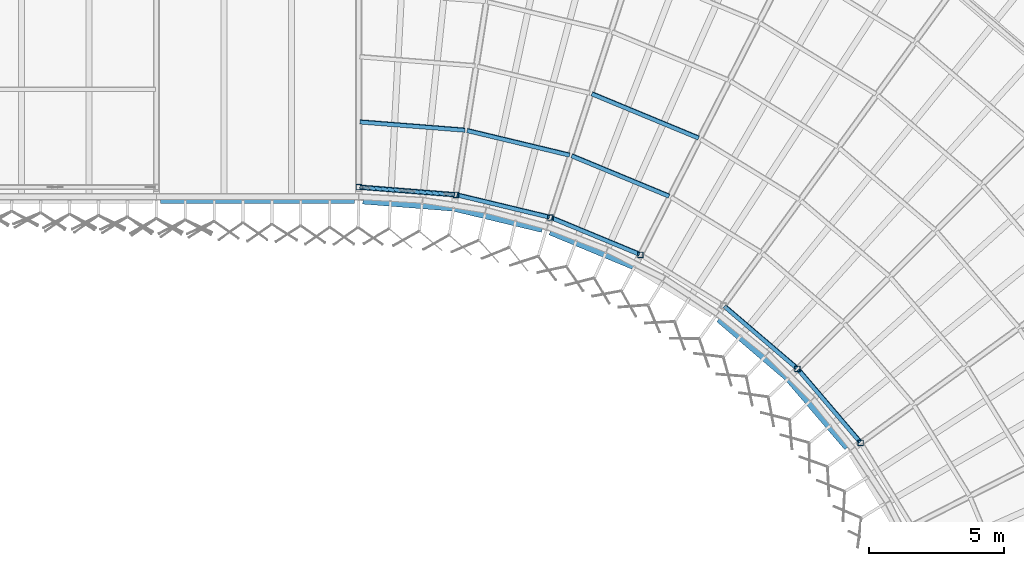
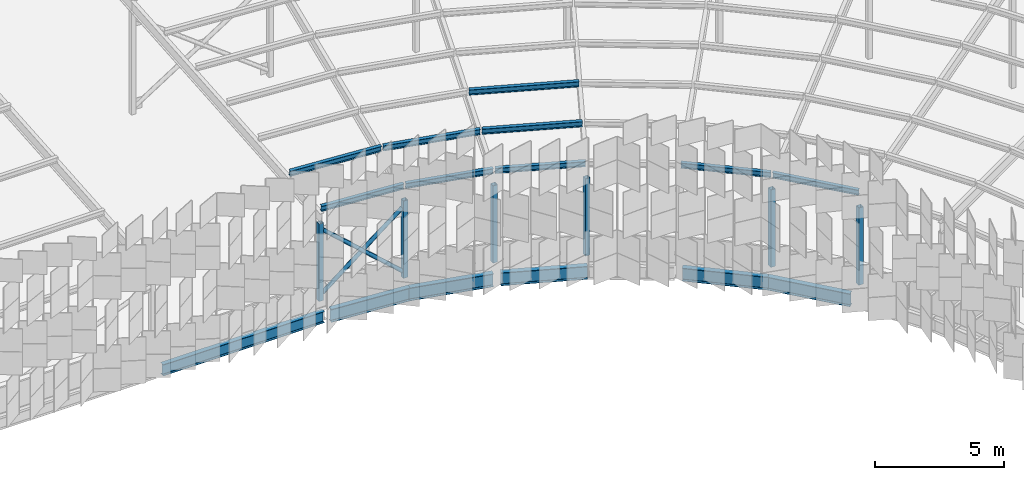
# One storey, part 82 of 483: 18 members, 6 beams.
"""IFC4 building model written with IfcOpenShell, lengths in metres."""

from ifc_helpers import new_model, si_unit, direction, frame, origin, origin_2d, place, context, subcontext, project, spatial, hollow_rectangle, hollow_circle, i_section, extrude, material, material_profile, profile_set, type_object, element, save


model = new_model("IFC4")

# Units and contexts
model_context = context("Model", 3, precision=1e-05, world=origin(), true_north=direction((0.0, 1.0)))
body_context = subcontext(model_context, "Body", "Model", "MODEL_VIEW")
ifc_project = project(units=[si_unit("LENGTHUNIT", "METRE"), si_unit("AREAUNIT", "SQUARE_METRE"), si_unit("VOLUMEUNIT", "CUBIC_METRE"), si_unit("PLANEANGLEUNIT", "RADIAN"), si_unit("MASSUNIT", "GRAM", prefix="KILO")], contexts=[model_context])

# Site, building, storey
site_placement = place(None, origin())
site = spatial("IfcSite", under=ifc_project, at=site_placement, CompositionType="ELEMENT")
building_placement = place(site_placement, origin())
building = spatial("IfcBuilding", under=site, at=building_placement, Name="Parallax Yard Mobility Hub", CompositionType="ELEMENT")
storey_placement = place(building_placement, frame((0.0, 0.0, 13.199951171875)))
storey = spatial("IfcBuildingStorey", under=building, at=storey_placement, Name="L04", CompositionType="ELEMENT", Elevation=13.199951171875)

# Members
ifc_material_1 = material(Name="Steel ASTM A500 Gr C", Category="steel")
ifc_material_profile_1 = material_profile(ifc_material_1, hollow_circle(Radius=0.0888671875, WallThickness=0.0078125, at=origin_2d()), Name="HSS177.8x7.9")
ifc_profile_set_1 = profile_set([ifc_material_profile_1], Name="Steel ASTM A500 Gr C")
member_type_1 = type_object("IfcMemberType", Name="Canopy brace HSS177.8x7.9", PredefinedType="BRACE", material=ifc_profile_set_1)
member_1_placement = place(storey_placement, frame((176.00390625, 112.72412109375, 0.300048828125), z_axis=(-0.750571164477, 0.059112785919, 0.658140262859), x_axis=(-0.07851394836, -0.996913015219, 0.0)))
element("IfcMember", 1, at=member_1_placement, inside=storey, type_object=member_type_1, Name="Canopy X brace RA bay R0-R1 diagonal B", PredefinedType="BRACE", context=body_context, shape_type="SweptSolid", body=[
    extrude(hollow_circle(Radius=0.0888671875, WallThickness=0.0078125, at=origin_2d()), origin(), (0.0, 0.0, 1.0), 4.54296875),
])
member_2_placement = place(storey_placement, frame((172.593994140625, 112.99267578125, 0.300048828125), z_axis=(0.750630945176, -0.059146020461, 0.658069093946), x_axis=(0.078551600547, 0.996910049128, 0.0)))
element("IfcMember", 2, at=member_2_placement, inside=storey, type_object=member_type_1, Name="Canopy X brace RA bay R0-R1 diagonal A part 1", PredefinedType="BRACE", context=body_context, shape_type="SweptSolid", body=[
    extrude(hollow_circle(Radius=0.0888671875, WallThickness=0.0078125, at=origin_2d()), origin(), (0.0, 0.0, 1.0), 2.19189453125),
])
member_3_placement = place(storey_placement, frame((174.35888671875, 112.853759765625, 1.84765625), z_axis=(0.75058231312, -0.059150965905, 0.658124117826), x_axis=(0.078563186597, 0.996909136136, 0.0)))
element("IfcMember", 3, at=member_3_placement, inside=storey, type_object=member_type_1, Name="Canopy X brace RA bay R0-R1 diagonal A part 2", PredefinedType="BRACE", context=body_context, shape_type="SweptSolid", body=[
    extrude(hollow_circle(Radius=0.0888671875, WallThickness=0.0078125, at=origin_2d()), origin(), (0.0, 0.0, 1.0), 2.191650390625),
])
ifc_material_profile_2 = material_profile(ifc_material_1, hollow_rectangle(XDim=0.203125, YDim=0.203125, WallThickness=0.009521484375, at=origin_2d()), Name="HSS203x203x9.5")
ifc_profile_set_2 = profile_set([ifc_material_profile_2], Name="Steel ASTM A500 Gr C")
member_type_2 = type_object("IfcMemberType", Name="Canopy post HSS203x203x9.5", PredefinedType="POST", material=ifc_profile_set_2)
for number, where, z_axis, x_axis, name in (
    (4, (172.5, 113.0, 0.0), (0.0, 0.0, 1.0), (1.0, 0.0, 0.0), "Canopy post RA/R0"),
    (5, (176.097900390625, 112.716796875, 0.0), (0.0, 0.0, 1.0), (1.0, 0.0, 0.0), "Canopy post RA/R1"),
    (6, (179.607421875, 111.874267578125, 0.0), (0.0, 0.0, 1.0), (1.0, 0.0, 0.0), "Canopy post RA/R2"),
    (7, (182.94189453125, 110.4931640625, 0.0), (0.0, 0.0, 1.0), (1.0, 0.0, 0.0), "Canopy post RA/R3"),
    (8, (188.763427734375, 106.263427734375, 0.0), (0.0, 0.0, 1.0), (1.0, 0.0, 0.0), "Canopy post RA/R5"),
    (9, (191.107421875, 103.51904296875, 0.0), (0.0, 0.0, 1.0), (1.0, 0.0, 0.0), "Canopy post RA/R6"),
):
    element("IfcMember", number, at=place(storey_placement, frame(where, z_axis=z_axis, x_axis=x_axis)), inside=storey, type_object=member_type_2, Name=name, PredefinedType="POST", context=body_context, shape_type="SweptSolid", body=[
        extrude(hollow_rectangle(XDim=0.203125, YDim=0.203125, WallThickness=0.009521484375, at=origin_2d()), origin(), (0.0, 0.0, 1.0), 3.650146484375),
    ])
ifc_material_2 = material(Name="Steel ASTM A992", Category="steel")
ifc_material_profile_3 = material_profile(ifc_material_2, i_section(OverallWidth=0.14794921875, OverallDepth=0.26611328125, WebThickness=0.007568359375, FlangeThickness=0.012939453125, at=origin_2d()), Name="W250x45")
ifc_profile_set_3 = profile_set([ifc_material_profile_3], Name="Steel ASTM A992")
member_type_3 = type_object("IfcMemberType", Name="Canopy purlin W250x45", PredefinedType="PURLIN", material=ifc_profile_set_3)
member_4_placement = place(storey_placement, frame((172.540771484375, 113.007568359375, 4.302001953125), z_axis=(0.996912842703, -0.078516138815, 0.0), x_axis=(0.078264545894, 0.993718388442, 0.079990157691)))
element("IfcMember", 10, at=member_4_placement, inside=storey, type_object=member_type_3, Name="Canopy purlin sector R0-R1 line 1", PredefinedType="PURLIN", context=body_context, shape_type="SweptSolid", body=[
    extrude(i_section(OverallWidth=0.14794921875, OverallDepth=0.26611328125, WebThickness=0.007568359375, FlangeThickness=0.012939453125, at=origin_2d()), origin(), (0.0, 0.0, 1.0), 3.529296875),
])
member_5_placement = place(storey_placement, frame((172.540771484375, 115.42431640625, 4.495361328125), z_axis=(0.996912448433, -0.078521144663, 0.0), x_axis=(0.078269535702, 0.993717995436, 0.079990157691)))
element("IfcMember", 11, at=member_5_placement, inside=storey, type_object=member_type_3, Name="Canopy purlin sector R0-R1 line 2", PredefinedType="PURLIN", context=body_context, shape_type="SweptSolid", body=[
    extrude(i_section(OverallWidth=0.14794921875, OverallDepth=0.26611328125, WebThickness=0.007568359375, FlangeThickness=0.012939453125, at=origin_2d()), origin(), (0.0, 0.0, 1.0), 3.908203125),
])
member_6_placement = place(storey_placement, frame((176.139404296875, 112.7177734375, 4.302001953125), z_axis=(0.972378510024, -0.233409582586, 0.0), x_axis=(0.232661657387, 0.969262672269, 0.079990157691)))
element("IfcMember", 12, at=member_6_placement, inside=storey, type_object=member_type_3, Name="Canopy purlin sector R1-R2 line 1", PredefinedType="PURLIN", context=body_context, shape_type="SweptSolid", body=[
    extrude(i_section(OverallWidth=0.14794921875, OverallDepth=0.26611328125, WebThickness=0.007568359375, FlangeThickness=0.012939453125, at=origin_2d()), origin(), (0.0, 0.0, 1.0), 3.529052734375),
])
member_7_placement = place(storey_placement, frame((176.517333984375, 115.104736328125, 4.495361328125), z_axis=(0.972374259605, -0.233427289018, 0.0), x_axis=(0.232679307082, 0.969258435469, 0.079990157691)))
element("IfcMember", 13, at=member_7_placement, inside=storey, type_object=member_type_3, Name="Canopy purlin sector R1-R2 line 2", PredefinedType="PURLIN", context=body_context, shape_type="SweptSolid", body=[
    extrude(i_section(OverallWidth=0.14794921875, OverallDepth=0.26611328125, WebThickness=0.007568359375, FlangeThickness=0.012939453125, at=origin_2d()), origin(), (0.0, 0.0, 1.0), 3.908447265625),
])
member_8_placement = place(storey_placement, frame((179.6484375, 111.868896484375, 4.302001953125), z_axis=(0.923875181962, -0.382693935351, 0.0), x_axis=(0.381467651347, 0.92091476568, 0.079990157691)))
element("IfcMember", 14, at=member_8_placement, inside=storey, type_object=member_type_3, Name="Canopy purlin sector R2-R3 line 1", PredefinedType="PURLIN", context=body_context, shape_type="SweptSolid", body=[
    extrude(i_section(OverallWidth=0.14794921875, OverallDepth=0.26611328125, WebThickness=0.007568359375, FlangeThickness=0.012939453125, at=origin_2d()), origin(), (0.0, 0.0, 1.0), 3.529052734375),
])
member_9_placement = place(storey_placement, frame((180.395263671875, 114.167236328125, 4.495361328125), z_axis=(0.923862274209, -0.382725094934, 0.0), x_axis=(0.381498711085, 0.920901899289, 0.079990157691)))
element("IfcMember", 15, at=member_9_placement, inside=storey, type_object=member_type_3, Name="Canopy purlin sector R2-R3 line 2", PredefinedType="PURLIN", context=body_context, shape_type="SweptSolid", body=[
    extrude(i_section(OverallWidth=0.14794921875, OverallDepth=0.26611328125, WebThickness=0.007568359375, FlangeThickness=0.012939453125, at=origin_2d()), origin(), (0.0, 0.0, 1.0), 3.908447265625),
])
member_10_placement = place(storey_placement, frame((181.14208984375, 116.465576171875, 4.688720703125), z_axis=(0.923871782586, -0.382702141804, 0.0), x_axis=(0.381475831503, 0.920911377197, 0.079990157691)))
element("IfcMember", 16, at=member_10_placement, inside=storey, type_object=member_type_3, Name="Canopy purlin sector R2-R3 line 3", PredefinedType="PURLIN", context=body_context, shape_type="SweptSolid", body=[
    extrude(i_section(OverallWidth=0.14794921875, OverallDepth=0.26611328125, WebThickness=0.007568359375, FlangeThickness=0.012939453125, at=origin_2d()), origin(), (0.0, 0.0, 1.0), 4.28759765625),
])
for number, where, z_axis, x_axis, name in (
    (17, (186.056396484375, 108.589599609375, 4.302001953125), (0.760407840978, -0.649445852538, 0.0), (0.64736480294, 0.757971230712, 0.079990157691), "Canopy purlin sector R4-R5 line 1"),
    (18, (188.797607421875, 106.239990234375, 4.302001953125), (0.649445852538, -0.760407840978, 0.0), (0.757971230712, 0.64736480294, 0.079990157691), "Canopy purlin sector R5-R6 line 1"),
):
    element("IfcMember", number, at=place(storey_placement, frame(where, z_axis=z_axis, x_axis=x_axis)), inside=storey, type_object=member_type_3, Name=name, PredefinedType="PURLIN", context=body_context, shape_type="SweptSolid", body=[
        extrude(i_section(OverallWidth=0.14794921875, OverallDepth=0.26611328125, WebThickness=0.007568359375, FlangeThickness=0.012939453125, at=origin_2d()), origin(), (0.0, 0.0, 1.0), 3.529052734375),
    ])

# Beams
ifc_material_profile_4 = material_profile(ifc_material_2, i_section(OverallWidth=0.208984375, OverallDepth=0.532958984375, WebThickness=0.01025390625, FlangeThickness=0.015625, FilletRadius=0.0126953125, at=origin_2d()), Name="W530x92")
ifc_profile_set_4 = profile_set([ifc_material_profile_4], Name="Steel ASTM A992")
beam_type_1 = type_object("IfcBeamType", Name="W530x92 edge beam", PredefinedType="SPANDREL", material=ifc_profile_set_4)
beam_placement = place(storey_placement, frame((165.152587890625, 112.5, -0.406494140625), z_axis=(1.0, 0.0, 0.0), x_axis=(0.0, 1.0, 0.0)))
element("IfcBeam", 19, at=beam_placement, inside=storey, type_object=beam_type_1, Name="Edge beam SB5 level L04, line R of ramped parking decks, span 15", PredefinedType="SPANDREL", context=body_context, shape_type="SweptSolid", body=[
    extrude(i_section(OverallWidth=0.208984375, OverallDepth=0.532958984375, WebThickness=0.01025390625, FlangeThickness=0.015625, FilletRadius=0.0126953125, at=origin_2d()), origin(), (0.0, 0.0, 1.0), 7.19482421875),
])
ifc_material_profile_5 = material_profile(ifc_material_2, i_section(OverallWidth=0.22900390625, OverallDepth=0.612060546875, WebThickness=0.011962890625, FlangeThickness=0.01953125, FilletRadius=0.0126953125, at=origin_2d()), Name="W610x125")
ifc_profile_set_5 = profile_set([ifc_material_profile_5], Name="Steel ASTM A992")
beam_type_2 = type_object("IfcBeamType", Name="W610x125 edge beam", PredefinedType="SPANDREL", material=ifc_profile_set_5)
for number, where, z_axis, x_axis, name in (
    (20, (172.652587890625, 112.488037109375, -0.446044921875), (0.996914245703, -0.078498323001, 0.0), (0.078498323001, 0.996914245703, 0.0), "Edge beam SB7 level L04, ring RA of ramped parking decks, span 1"),
    (21, (176.019775390625, 112.222900390625, -0.446044921875), (0.972382709115, -0.233392088585, 0.0), (0.233392088585, 0.972382709115, 0.0), "Edge beam SB7 level L04, ring RA of ramped parking decks, span 2"),
    (22, (179.59423828125, 111.34033203125, -0.446044921875), (0.923866186286, -0.382715651415, 0.0), (0.382715651415, 0.923866186286, 0.0), "Edge beam SB7 level L04, ring RA of ramped parking decks, span 3"),
    (23, (185.841552734375, 108.103515625, -0.446044921875), (0.760403424442, -0.649451023632, 0.0), (0.649451023632, 0.760403424442, 0.0), "Edge beam SB7 level L04, ring RA of ramped parking decks, span 5"),
    (24, (188.409912109375, 105.909912109375, -0.446044921875), (0.649451023632, -0.760403424442, 0.0), (0.760403424442, 0.649451023632, 0.0), "Edge beam SB7 level L04, ring RA of ramped parking decks, span 6"),
):
    element("IfcBeam", number, at=place(storey_placement, frame(where, z_axis=z_axis, x_axis=x_axis)), inside=storey, type_object=beam_type_2, Name=name, PredefinedType="SPANDREL", context=body_context, shape_type="SweptSolid", body=[
        extrude(i_section(OverallWidth=0.22900390625, OverallDepth=0.612060546875, WebThickness=0.011962890625, FlangeThickness=0.01953125, FilletRadius=0.0126953125, at=origin_2d()), origin(), (0.0, 0.0, 1.0), 3.377685546875),
    ])

save(model, "model.ifc")
